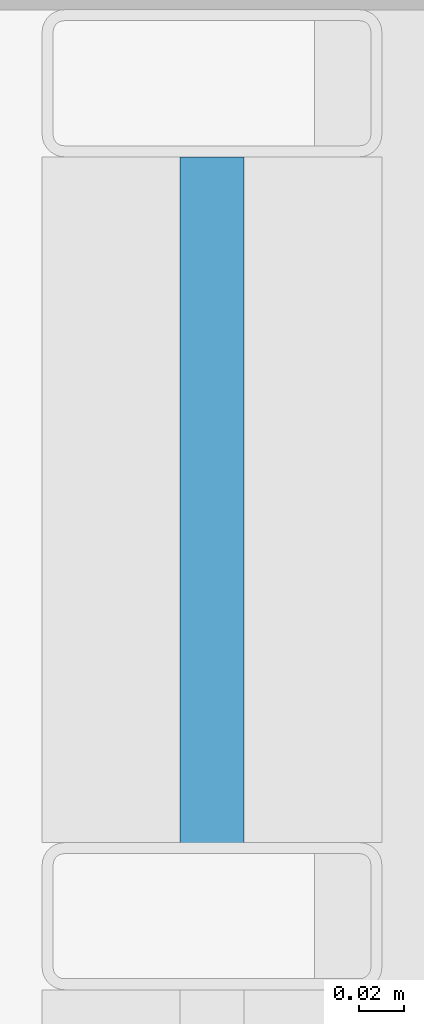
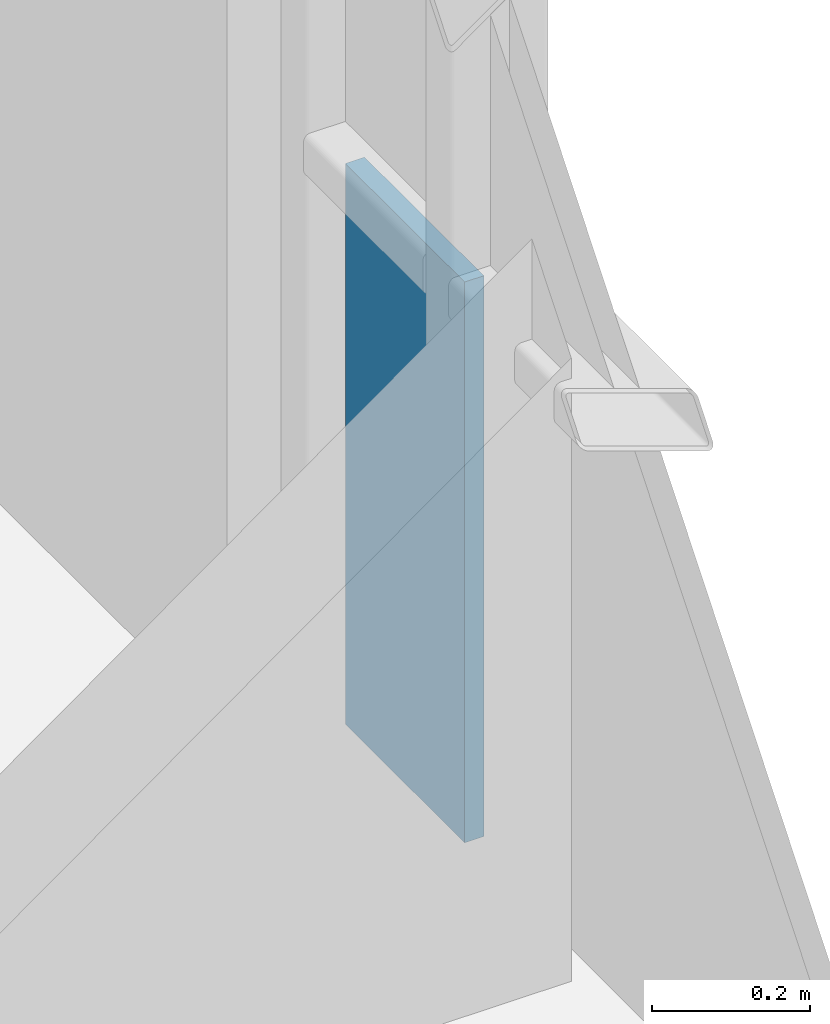
# One storey, part 30 of 40: 1 plate, 1 element without a shape of its own.
"""IFC4 building model written with IfcOpenShell, lengths in metres."""

from ifc_helpers import new_model, si_unit, direction, frame, origin, origin_2d, place, context, subcontext, project, spatial, rectangle, extrude, material, layer, layer_set, type_object, element, aggregate, save


model = new_model("IFC4")

# Units and contexts
model_context = context("Model", 3, precision=1e-05, world=origin(), true_north=direction((0.0, 1.0)))
body_context = subcontext(model_context, "Body", "Model", "MODEL_VIEW")
ifc_project = project(units=[si_unit("LENGTHUNIT", "METRE"), si_unit("AREAUNIT", "SQUARE_METRE"), si_unit("VOLUMEUNIT", "CUBIC_METRE"), si_unit("PLANEANGLEUNIT", "RADIAN"), si_unit("MASSUNIT", "GRAM", prefix="KILO")], contexts=[model_context])

# Site, building, storey
site_placement = place(None, origin())
site = spatial("IfcSite", under=ifc_project, at=site_placement, CompositionType="ELEMENT")
building_placement = place(site_placement, origin())
building = spatial("IfcBuilding", under=site, at=building_placement, Name="Brevholm Reach", CompositionType="ELEMENT")
storey_placement = place(building_placement, frame((0.0, 0.0, 125.199951171875)))
storey = spatial("IfcBuildingStorey", under=building, at=storey_placement, Name="L37", CompositionType="ELEMENT", Elevation=125.199951171875)

# Curtain wall, plate
ifc_material_1 = material(Name="Dark Anodised Aluminium 6063-T6 and Solar-Control Glass", Category="aluminium")
ifc_layer_1 = layer(ifc_material_1, 0.14990234375)
ifc_layer_set_1 = layer_set([ifc_layer_1], Name="Dark Anodised Aluminium 6063-T6 and Solar-Control Glass")
curtain_wall_type = type_object("IfcCurtainWallType", Name="CW-01", PredefinedType="NOTDEFINED", material=ifc_layer_set_1)
curtain_wall_placement = place(storey_placement, origin())
curtain_wall = element("IfcCurtainWall", 1, at=curtain_wall_placement, inside=storey, type_object=curtain_wall_type, Name="L37 Curtain Wall CW-01", PredefinedType="NOTDEFINED")
ifc_material_2 = material(Name="Dark Solar-Control Double-Glazed IGU Glass", Category="glass")
ifc_layer_2 = layer(ifc_material_2, 0.028076171875)
ifc_layer_set_2 = layer_set([ifc_layer_2], Name="Dark Solar-Control Double-Glazed IGU Glass")
plate_type = type_object("IfcPlateType", Name="CWP-GLZ-28", PredefinedType="CURTAIN_PANEL", material=ifc_layer_set_2)
plate_placement = place(storey_placement, frame((59.85009765625, 22.733642578125, 0.0), z_axis=(0.0, 0.0, 1.0), x_axis=(0.0, 1.0, 0.0)))
plate = element("IfcPlate", 2, at=plate_placement, type_object=plate_type, Name="CP-01 Glazing Panel 5.1", PredefinedType="CURTAIN_PANEL", context=body_context, shape_type="SweptSolid", body=[
    extrude(rectangle(XDim=0.302490234375, YDim=0.028076171875, at=origin_2d()), origin(), (0.0, 0.0, 1.0), 0.867431640625),
])
aggregate(curtain_wall, [plate])

save(model, "model.ifc")
